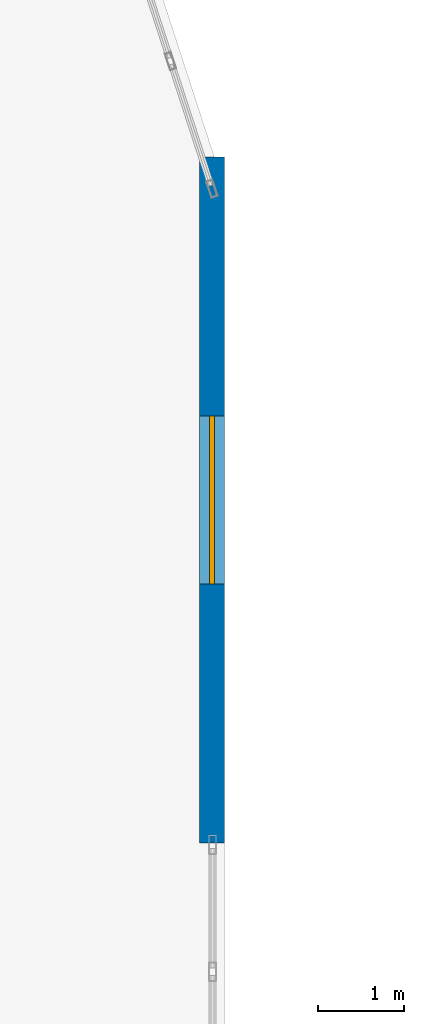
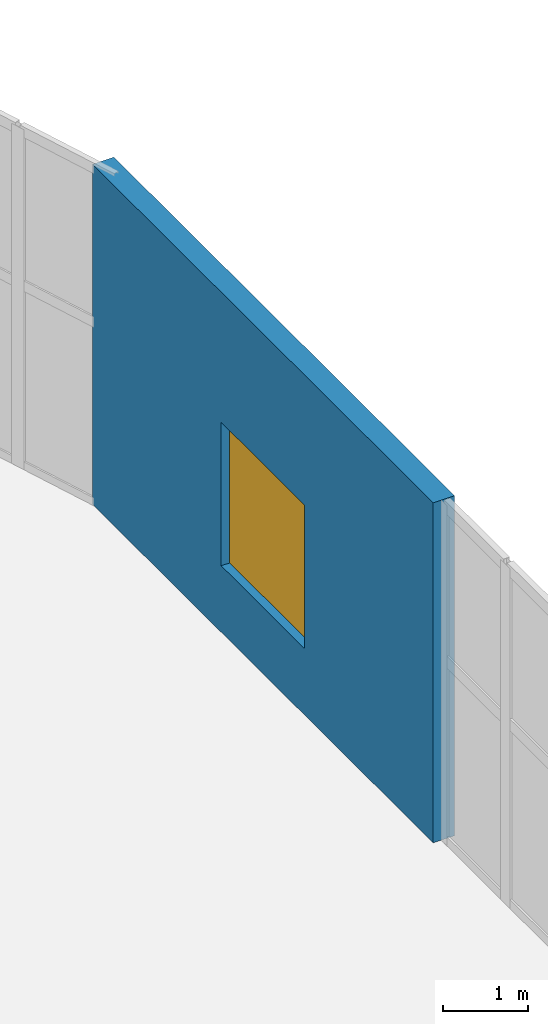
# One storey, part 114 of 128: 1 wall, 1 window, 1 opening.
"""IFC4 building model written with IfcOpenShell, lengths in metres."""

from ifc_helpers import new_model, si_unit, direction, frame, frame_2d, origin, place, context, subcontext, project, spatial, rectangle, extrude, material, layer, layer_set, type_object, element, fill, save


model = new_model("IFC4")

# Units and contexts
model_context = context("Model", 3, precision=1e-05, world=origin(), true_north=direction((0.0, 1.0)))
body_context = subcontext(model_context, "Body", "Model", "MODEL_VIEW")
ifc_project = project(units=[si_unit("LENGTHUNIT", "METRE"), si_unit("AREAUNIT", "SQUARE_METRE"), si_unit("VOLUMEUNIT", "CUBIC_METRE"), si_unit("PLANEANGLEUNIT", "RADIAN"), si_unit("MASSUNIT", "GRAM", prefix="KILO")], contexts=[model_context])

# Site, building, storey
site_placement = place(None, origin())
site = spatial("IfcSite", under=ifc_project, at=site_placement, CompositionType="ELEMENT")
building_placement = place(site_placement, origin())
building = spatial("IfcBuilding", under=site, at=building_placement, Name="Xicomal Pleat Aquarium", CompositionType="ELEMENT")
storey_placement = place(building_placement, frame((0.0, 0.0, 5.39990234375)))
storey = spatial("IfcBuildingStorey", under=building, at=storey_placement, Name="L02", CompositionType="ELEMENT", Elevation=5.39990234375)

# Wall, opening, window
ifc_material_1 = material(Name="Precast concrete C40/50", Category="concrete")
ifc_layer = layer(ifc_material_1, 0.2900390625)
ifc_layer_set = layer_set([ifc_layer], Name="Precast concrete C40/50")
wall_type = type_object("IfcWallType", Name="WAL-EXT-PRC-290", PredefinedType="SOLIDWALL", material=ifc_layer_set)
wall_placement = place(storey_placement, frame((125.85498046875, 61.159912109375, 0.0), z_axis=(0.0, 0.0, 1.0), x_axis=(0.0, -1.0, 0.0)))
wall = element("IfcWall", 1, at=wall_placement, inside=storey, type_object=wall_type, Name="L02 exterior basalt-precast wall EW-L02-060", PredefinedType="SOLIDWALL", context=body_context, shape_type="SweptSolid", body=[
    extrude(rectangle(XDim=7.97998046875, YDim=0.2900390625, at=frame_2d((3.989990234375, 0.0))), origin(), (0.0, 0.0, 1.0), 4.860107421875),
])
opening_placement = place(wall_placement, frame((3.014892578125, 0.0, 0.949951171875)))
opening = element("IfcOpeningElement", 2, at=opening_placement, cuts=wall, Name="Opening WN-11", PredefinedType="OPENING", context=body_context, shape_type="SweptSolid", body=[
    extrude(rectangle(XDim=1.949951171875, YDim=2.050048828125, at=frame_2d((0.97509765625, 1.02490234375))), frame((0.0, 0.155029296875, 0.0), z_axis=(0.0, -1.0, 0.0), x_axis=(1.0, 0.0, 0.0)), (0.0, 0.0, 1.0), 0.31005859375),
])
ifc_material_2 = material(Name="Insulated low-E laminated glass", Category="glass")
window_type = type_object("IfcWindowType", Name="WIN-EXT-1950x2050", PartitioningType="DOUBLE_PANEL_VERTICAL", PredefinedType="WINDOW", material=ifc_material_2)
window_placement = place(opening_placement, origin())
window = element("IfcWindow", 3, at=window_placement, inside=storey, type_object=window_type, Name="L02 thermally broken low-E window 11", OverallHeight=2.050048828125, OverallWidth=1.949951171875, PartitioningType="SINGLE_PANEL", PredefinedType="WINDOW", context=body_context, shape_type="SweptSolid", body=[
    extrude(rectangle(XDim=1.949951171875, YDim=2.050048828125, at=frame_2d((0.97509765625, 1.02490234375))), frame((0.0, 0.030029296875, 0.0), z_axis=(0.0, -1.0, 0.0), x_axis=(1.0, 0.0, 0.0)), (0.0, 0.0, 1.0), 0.06005859375),
])
fill(opening, window)

save(model, "model.ifc")
